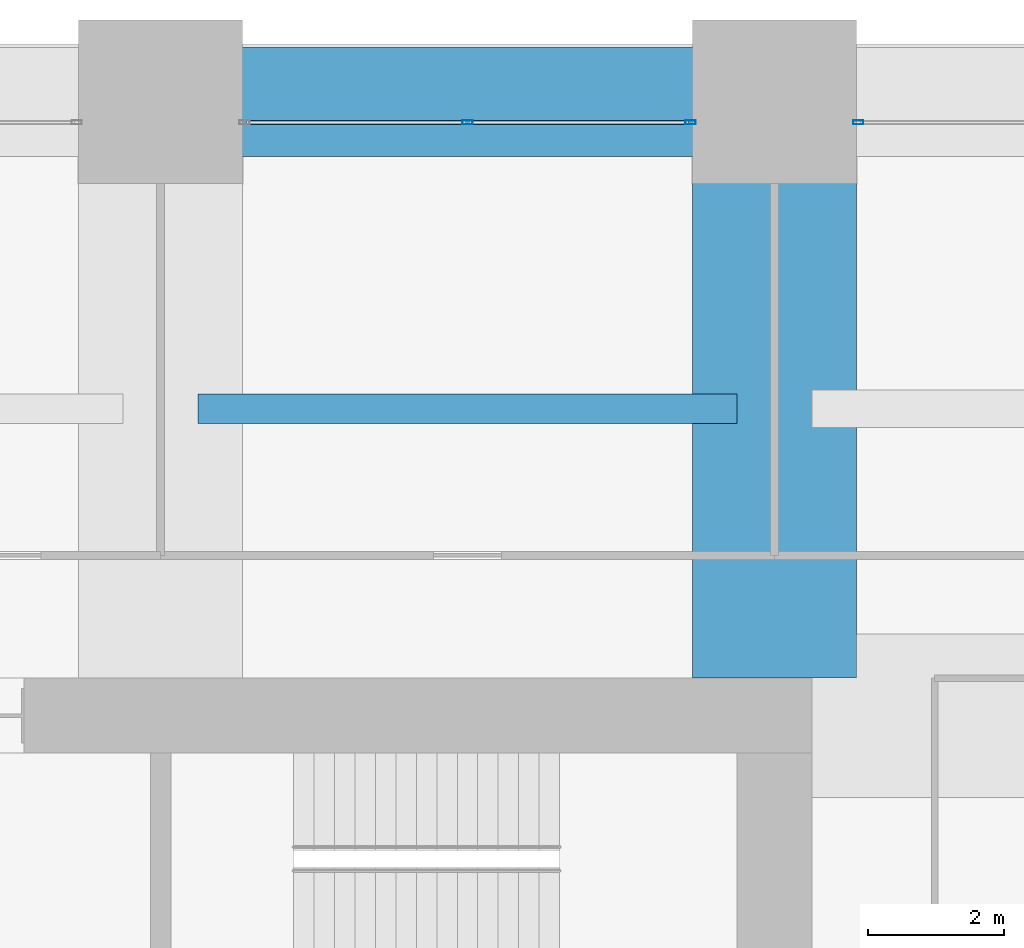
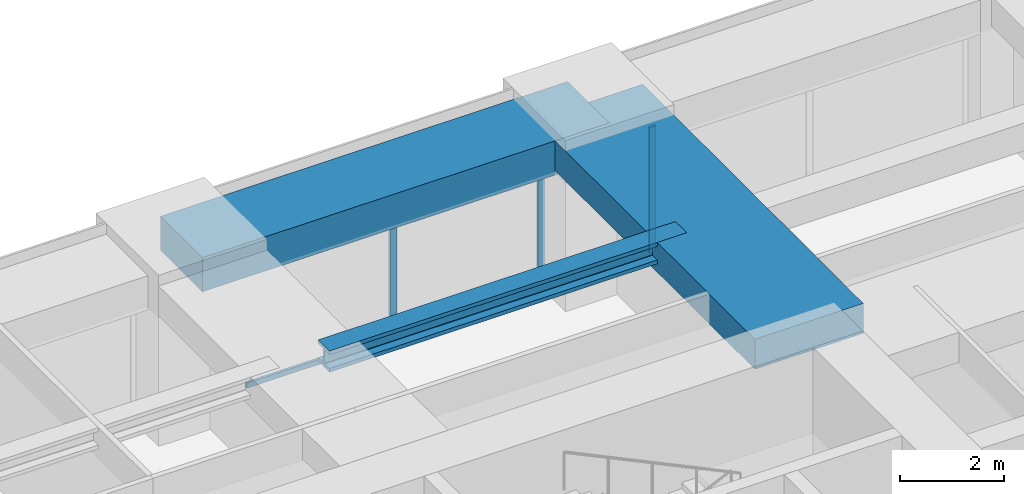
# One storey, part 31 of 43: 4 members, 3 beams, 2 elements without a shape of their own.
"""IFC4 building model written with IfcOpenShell, lengths in metres."""

from ifc_helpers import new_model, si_unit, direction, frame, origin, origin_2d, place, context, subcontext, project, spatial, rectangle, hollow_rectangle, i_section, extrude, material, material_profile, profile_set, type_object, element, aggregate, save


model = new_model("IFC4")

# Units and contexts
model_context = context("Model", 3, precision=1e-05, world=origin(), true_north=direction((0.0, 1.0)))
body_context = subcontext(model_context, "Body", "Model", "MODEL_VIEW")
ifc_project = project(units=[si_unit("LENGTHUNIT", "METRE"), si_unit("AREAUNIT", "SQUARE_METRE"), si_unit("VOLUMEUNIT", "CUBIC_METRE"), si_unit("PLANEANGLEUNIT", "RADIAN"), si_unit("MASSUNIT", "GRAM", prefix="KILO")], contexts=[model_context])

# Site, building, storey
site_placement = place(None, origin())
site = spatial("IfcSite", under=ifc_project, at=site_placement, CompositionType="ELEMENT")
building_placement = place(site_placement, origin())
building = spatial("IfcBuilding", under=site, at=building_placement, Name="Zorevar Civic Tower", CompositionType="ELEMENT")
storey_placement = place(building_placement, frame((0.0, 0.0, 145.0)))
storey = spatial("IfcBuildingStorey", under=building, at=storey_placement, Name="L35", CompositionType="ELEMENT", Elevation=145.0)

# Beam
ifc_material_1 = material(Name="Concrete C50/60", Category="concrete")
ifc_material_profile_1 = material_profile(ifc_material_1, rectangle(XDim=2.39990234375, YDim=0.699951171875, at=origin_2d()), Name="RC 2400x700")
ifc_profile_set_1 = profile_set([ifc_material_profile_1], Name="Concrete C50/60")
beam_type_1 = type_object("IfcBeamType", Name="Beam RC 2400x700", PredefinedType="BEAM", material=ifc_profile_set_1)
beam_1_placement = place(storey_placement, frame((45.0, 36.550048828125, 3.39990234375), z_axis=(0.0, 1.0, 0.0), x_axis=(-1.0, 0.0, 0.0)))
element("IfcBeam", 1, at=beam_1_placement, inside=storey, type_object=beam_type_1, Name="Girder L36", PredefinedType="BEAM", context=body_context, shape_type="SweptSolid", body=[
    extrude(rectangle(XDim=2.39990234375, YDim=0.699951171875, at=origin_2d()), origin(), (0.0, 0.0, 1.0), 8.449951171875),
])

# Curtain wall, members
ifc_material_2 = material(Name="Dark grey solar-control glass in black aluminium frame", Category="aluminium")
curtain_wall_type = type_object("IfcCurtainWallType", Name="Curtain wall CW3 mid zone", PredefinedType="NOTDEFINED", material=ifc_material_2)
curtain_wall_1_placement = place(storey_placement, origin())
curtain_wall_1 = element("IfcCurtainWall", 2, at=curtain_wall_1_placement, inside=storey, type_object=curtain_wall_type, Name="CW3 L35", PredefinedType="NOTDEFINED")
ifc_material_3 = material(Name="Aluminium, black anodised", Category="aluminium")
ifc_material_profile_2 = material_profile(ifc_material_3, hollow_rectangle(XDim=0.06005859375, YDim=0.14990234375, WallThickness=0.00390625, at=origin_2d()), Name="AL 150x60x4")
ifc_profile_set_2 = profile_set([ifc_material_profile_2], Name="Aluminium, black anodised")
member_type_1 = type_object("IfcMemberType", Name="CW3 mullion AL 150x60x4", PredefinedType="MULLION", material=ifc_profile_set_2)
member_1_placement = place(storey_placement, frame((40.5, 44.699951171875, 0.06005859375), z_axis=(0.0, 0.0, 1.0), x_axis=(0.0, 1.0, 0.0)))
member_1 = element("IfcMember", 3, at=member_1_placement, type_object=member_type_1, Name="CW3 mullion 2", PredefinedType="MULLION", context=body_context, shape_type="SweptSolid", body=[
    extrude(hollow_rectangle(XDim=0.06005859375, YDim=0.14990234375, WallThickness=0.00390625, at=origin_2d()), origin(), (0.0, 0.0, 1.0), 2.889892578125),
])
member_2_placement = place(storey_placement, frame((43.77001953125, 44.699951171875, 0.0), z_axis=(0.0, 0.0, 1.0), x_axis=(0.0, 1.0, 0.0)))
member_2 = element("IfcMember", 4, at=member_2_placement, type_object=member_type_1, Name="CW3 mullion 3", PredefinedType="MULLION", context=body_context, shape_type="SweptSolid", body=[
    extrude(hollow_rectangle(XDim=0.06005859375, YDim=0.14990234375, WallThickness=0.00390625, at=origin_2d()), origin(), (0.0, 0.0, 1.0), 2.949951171875),
])

# Curtain wall, member
curtain_wall_2_placement = place(storey_placement, origin())
curtain_wall_2 = element("IfcCurtainWall", 5, at=curtain_wall_2_placement, inside=storey, type_object=curtain_wall_type, Name="CW3 L35", PredefinedType="NOTDEFINED")
member_3_placement = place(storey_placement, frame((46.22998046875, 44.699951171875, 0.0), z_axis=(0.0, 0.0, 1.0), x_axis=(0.0, 1.0, 0.0)))
member_3 = element("IfcMember", 6, at=member_3_placement, type_object=member_type_1, Name="CW3 mullion 1", PredefinedType="MULLION", context=body_context, shape_type="SweptSolid", body=[
    extrude(hollow_rectangle(XDim=0.06005859375, YDim=0.14990234375, WallThickness=0.00390625, at=origin_2d()), origin(), (0.0, 0.0, 1.0), 2.949951171875),
])
aggregate(curtain_wall_2, [member_3])

# Member
ifc_material_4 = material(Name="Aluminium, black anodised", Category="aluminium")
ifc_material_profile_3 = material_profile(ifc_material_4, hollow_rectangle(XDim=0.06005859375, YDim=0.1201171875, WallThickness=0.0029296875, at=origin_2d()), Name="AL 120x60x3")
ifc_profile_set_3 = profile_set([ifc_material_profile_3], Name="Aluminium, black anodised")
member_type_2 = type_object("IfcMemberType", Name="CW3 transom AL 120x60x3", PredefinedType="USERDEFINED", material=ifc_profile_set_3)
member_4_placement = place(storey_placement, frame((37.260009765625, 44.699951171875, 0.030029296875), z_axis=(1.0, 0.0, 0.0), x_axis=(0.0, 1.0, 0.0)))
member_4 = element("IfcMember", 7, at=member_4_placement, type_object=member_type_2, Name="CW3 sill transom", ObjectType="TRANSOM", PredefinedType="USERDEFINED", context=body_context, shape_type="SweptSolid", body=[
    extrude(hollow_rectangle(XDim=0.06005859375, YDim=0.1201171875, WallThickness=0.0029296875, at=origin_2d()), origin(), (0.0, 0.0, 1.0), 6.47998046875),
])

aggregate(curtain_wall_1, [member_1, member_2, member_4])

# Beams
ifc_material_5 = material(Name="Steel S460M (HISTAR 460)", Category="steel")
ifc_material_profile_4 = material_profile(ifc_material_5, i_section(OverallWidth=0.431884765625, OverallDepth=0.498046875, WebThickness=0.0556640625, FlangeThickness=0.0888671875, FilletRadius=0.014892578125, at=origin_2d()), Name="HD 400x744")
ifc_profile_set_4 = profile_set([ifc_material_profile_4], Name="Steel S460M (HISTAR 460)")
beam_type_2 = type_object("IfcBeamType", Name="Core bay beam HD 400x744", PredefinedType="BEAM", material=ifc_profile_set_4)
beam_2_placement = place(storey_placement, frame((36.550048828125, 40.5, 3.5009765625), z_axis=(1.0, 0.0, 0.0), x_axis=(0.0, 1.0, 0.0)))
element("IfcBeam", 8, at=beam_2_placement, inside=storey, type_object=beam_type_2, Name="Secondary beam L36", PredefinedType="BEAM", context=body_context, shape_type="SweptSolid", body=[
    extrude(i_section(OverallWidth=0.431884765625, OverallDepth=0.498046875, WebThickness=0.0556640625, FlangeThickness=0.0888671875, FilletRadius=0.014892578125, at=origin_2d()), origin(), (0.0, 0.0, 1.0), 7.89990234375),
])
ifc_material_6 = material(Name="Concrete C50/60", Category="concrete")
ifc_material_profile_5 = material_profile(ifc_material_6, rectangle(XDim=1.60009765625, YDim=0.800048828125, at=origin_2d()), Name="RC 1600x800")
ifc_profile_set_5 = profile_set([ifc_material_profile_5], Name="Concrete C50/60")
beam_type_3 = type_object("IfcBeamType", Name="Edge beam RC 1600x800", PredefinedType="SPANDREL", material=ifc_profile_set_5)
beam_3_placement = place(storey_placement, frame((36.0, 45.0, 3.35009765625), z_axis=(1.0, 0.0, 0.0), x_axis=(0.0, 1.0, 0.0)))
element("IfcBeam", 9, at=beam_3_placement, inside=storey, type_object=beam_type_3, Name="Edge beam L36", PredefinedType="SPANDREL", context=body_context, shape_type="SweptSolid", body=[
    extrude(rectangle(XDim=1.60009765625, YDim=0.800048828125, at=origin_2d()), origin(), (0.0, 0.0, 1.0), 9.0),
])

save(model, "model.ifc")
